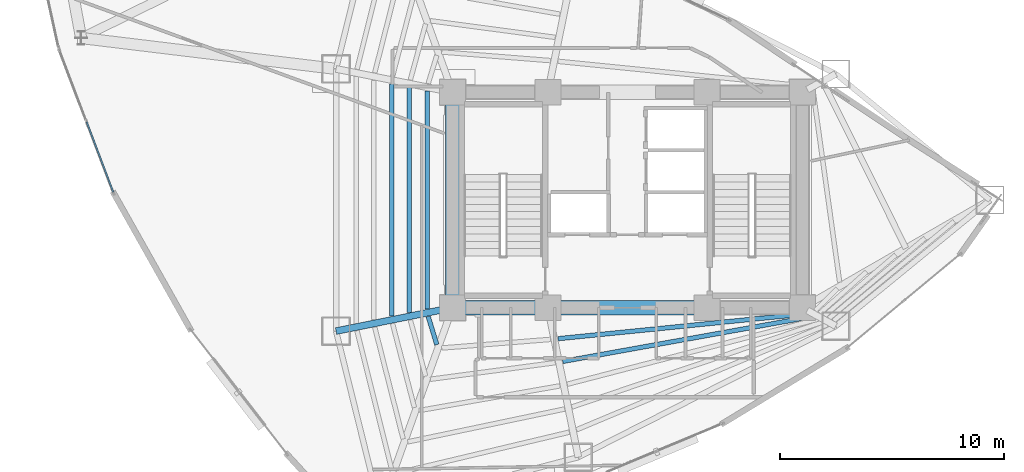
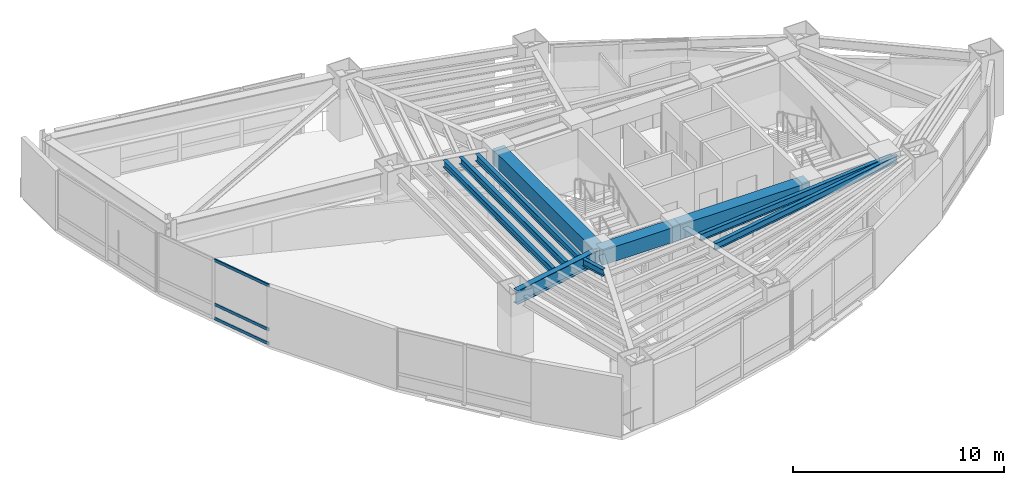
# One storey, part 7 of 25: 10 beams, 3 members, 1 element without a shape of its own.
"""IFC4 building model written with IfcOpenShell, lengths in metres."""

from ifc_helpers import new_model, si_unit, direction, frame, origin, origin_2d, place, context, subcontext, project, spatial, rectangle, hollow_rectangle, i_section, extrude, material, layer, layer_set, material_profile, profile_set, type_object, element, aggregate, save


model = new_model("IFC4")

# Units and contexts
model_context = context("Model", 3, precision=1e-05, world=origin(), true_north=direction((0.0, 1.0)))
body_context = subcontext(model_context, "Body", "Model", "MODEL_VIEW")
ifc_project = project(units=[si_unit("LENGTHUNIT", "METRE"), si_unit("AREAUNIT", "SQUARE_METRE"), si_unit("VOLUMEUNIT", "CUBIC_METRE"), si_unit("PLANEANGLEUNIT", "RADIAN"), si_unit("MASSUNIT", "GRAM", prefix="KILO")], contexts=[model_context])

# Site, building, storey
site_placement = place(None, origin())
site = spatial("IfcSite", under=ifc_project, at=site_placement, CompositionType="ELEMENT")
building_placement = place(site_placement, origin())
building = spatial("IfcBuilding", under=site, at=building_placement, Name="Menara Vayukalpa", CompositionType="ELEMENT")
storey_placement = place(building_placement, frame((0.0, 0.0, 115.139892578125)))
storey = spatial("IfcBuildingStorey", under=building, at=storey_placement, Name="L28", CompositionType="ELEMENT", Elevation=115.139892578125)

# Beams
ifc_material_1 = material(Name="Concrete C60/75", Category="concrete")
ifc_material_profile_1 = material_profile(ifc_material_1, rectangle(XDim=0.64990234375, YDim=0.85009765625, at=origin_2d()), Name="RC 650x850")
ifc_profile_set_1 = profile_set([ifc_material_profile_1], Name="Concrete C60/75")
beam_type_1 = type_object("IfcBeamType", Name="BM-CB1", PredefinedType="BEAM", material=ifc_profile_set_1)
beam_1_placement = place(storey_placement, frame((17.800048828125, 17.199951171875, 3.01513671875), z_axis=(1.0, 0.0, 0.0), x_axis=(0.0, 1.0, 0.0)))
element("IfcBeam", 1, at=beam_1_placement, inside=storey, type_object=beam_type_1, Name="L28 Core Tie Beam CBR1", PredefinedType="BEAM", context=body_context, shape_type="SweptSolid", body=[
    extrude(rectangle(XDim=0.64990234375, YDim=0.85009765625, at=origin_2d()), origin(), (0.0, 0.0, 1.0), 4.25),
])
beam_2_placement = place(storey_placement, frame((22.050048828125, 17.199951171875, 3.01513671875), z_axis=(1.0, 0.0, 0.0), x_axis=(0.0, 1.0, 0.0)))
element("IfcBeam", 2, at=beam_2_placement, inside=storey, type_object=beam_type_1, Name="L28 Core Tie Beam CBR2", PredefinedType="BEAM", context=body_context, shape_type="SweptSolid", body=[
    extrude(rectangle(XDim=0.64990234375, YDim=0.85009765625, at=origin_2d()), origin(), (0.0, 0.0, 1.0), 7.099853515625),
])
beam_3_placement = place(storey_placement, frame((17.800048828125, 17.199951171875, 3.01513671875), z_axis=(0.0, 1.0, 0.0), x_axis=(-1.0, 0.0, 0.0)))
element("IfcBeam", 3, at=beam_3_placement, inside=storey, type_object=beam_type_1, Name="L28 Core Tie Beam CBR7", PredefinedType="BEAM", context=body_context, shape_type="SweptSolid", body=[
    extrude(rectangle(XDim=0.64990234375, YDim=0.85009765625, at=origin_2d()), origin(), (0.0, 0.0, 1.0), 9.60009765625),
])
ifc_material_2 = material(Name="Steel S355", Category="steel")
ifc_material_profile_2 = material_profile(ifc_material_2, i_section(OverallWidth=0.300048828125, OverallDepth=0.800048828125, WebThickness=0.013916015625, FlangeThickness=0.02587890625, at=origin_2d()), Name="WF 800x300x14x26")
ifc_profile_set_2 = profile_set([ifc_material_profile_2], Name="Steel S355")
beam_type_2 = type_object("IfcBeamType", Name="BM-PG3", PredefinedType="BEAM", material=ifc_profile_set_2)
beam_4_placement = place(storey_placement, frame((17.554931640625, 17.150634765625, 3.0400390625), z_axis=(-0.980324984906, -0.197390283373, 0.0), x_axis=(0.197390283373, -0.980324984906, 0.0)))
element("IfcBeam", 4, at=beam_4_placement, inside=storey, type_object=beam_type_2, Name="L28 Primary Radial Girder RG06", PredefinedType="BEAM", context=body_context, shape_type="SweptSolid", body=[
    extrude(i_section(OverallWidth=0.300048828125, OverallDepth=0.800048828125, WebThickness=0.013916015625, FlangeThickness=0.02587890625, at=origin_2d()), origin(), (0.0, 0.0, 1.0), 5.047607421875),
])
ifc_material_3 = material(Name="Steel S355", Category="steel")
ifc_material_profile_3 = material_profile(ifc_material_3, i_section(OverallWidth=0.199951171875, OverallDepth=0.39990234375, WebThickness=0.008056640625, FlangeThickness=0.012939453125, at=origin_2d()), Name="WF 400x200x8x13")
ifc_profile_set_3 = profile_set([ifc_material_profile_3], Name="Steel S355")
beam_type_3 = type_object("IfcBeamType", Name="BM-SJ2", PredefinedType="JOIST", material=ifc_profile_set_3)
beam_5_placement = place(storey_placement, frame((16.664306640625, 26.858642578125, 3.239990234375), z_axis=(0.0, -1.0, 0.0), x_axis=(1.0, 0.0, 0.0)))
element("IfcBeam", 5, at=beam_5_placement, inside=storey, type_object=beam_type_3, Name="L28 Secondary Floor Joist SJ05-1", PredefinedType="JOIST", context=body_context, shape_type="SweptSolid", body=[
    extrude(i_section(OverallWidth=0.199951171875, OverallDepth=0.39990234375, WebThickness=0.008056640625, FlangeThickness=0.012939453125, at=origin_2d()), origin(), (0.0, 0.0, 1.0), 9.71728515625),
])
beam_6_placement = place(storey_placement, frame((15.87255859375, 27.01806640625, 3.239990234375), z_axis=(0.0, -1.0, 0.0), x_axis=(1.0, 0.0, 0.0)))
element("IfcBeam", 6, at=beam_6_placement, inside=storey, type_object=beam_type_3, Name="L28 Secondary Floor Joist SJ05-2", PredefinedType="JOIST", context=body_context, shape_type="SweptSolid", body=[
    extrude(i_section(OverallWidth=0.199951171875, OverallDepth=0.39990234375, WebThickness=0.008056640625, FlangeThickness=0.012939453125, at=origin_2d()), origin(), (0.0, 0.0, 1.0), 10.0361328125),
])
beam_7_placement = place(storey_placement, frame((15.080810546875, 27.177490234375, 3.239990234375), z_axis=(0.0, -1.0, 0.0), x_axis=(1.0, 0.0, 0.0)))
element("IfcBeam", 7, at=beam_7_placement, inside=storey, type_object=beam_type_3, Name="L28 Secondary Floor Joist SJ05-3", PredefinedType="JOIST", context=body_context, shape_type="SweptSolid", body=[
    extrude(i_section(OverallWidth=0.199951171875, OverallDepth=0.39990234375, WebThickness=0.008056640625, FlangeThickness=0.012939453125, at=origin_2d()), origin(), (0.0, 0.0, 1.0), 10.35498046875),
])
beam_8_placement = place(storey_placement, frame((16.714111328125, 16.808837890625, 3.239990234375), z_axis=(0.292651981473, -0.956219021846, 0.0), x_axis=(0.956219021846, 0.292651981473, 0.0)))
element("IfcBeam", 8, at=beam_8_placement, inside=storey, type_object=beam_type_3, Name="L28 Secondary Floor Joist SJ06-1", PredefinedType="JOIST", context=body_context, shape_type="SweptSolid", body=[
    extrude(i_section(OverallWidth=0.199951171875, OverallDepth=0.39990234375, WebThickness=0.008056640625, FlangeThickness=0.012939453125, at=origin_2d()), origin(), (0.0, 0.0, 1.0), 1.31640625),
])
beam_9_placement = place(storey_placement, frame((22.50439453125, 15.81591796875, 3.239990234375), z_axis=(0.995012836574, 0.099746955103, 0.0), x_axis=(-0.099746955103, 0.995012836574, 0.0)))
element("IfcBeam", 9, at=beam_9_placement, inside=storey, type_object=beam_type_3, Name="L28 Secondary Floor Joist SJ08-1", PredefinedType="JOIST", context=body_context, shape_type="SweptSolid", body=[
    extrude(i_section(OverallWidth=0.199951171875, OverallDepth=0.39990234375, WebThickness=0.008056640625, FlangeThickness=0.012939453125, at=origin_2d()), origin(), (0.0, 0.0, 1.0), 11.2294921875),
])
beam_10_placement = place(storey_placement, frame((22.7119140625, 14.801513671875, 3.239990234375), z_axis=(0.984205443357, 0.177030068819, 0.0), x_axis=(-0.177030068819, 0.984205443357, 0.0)))
element("IfcBeam", 10, at=beam_10_placement, inside=storey, type_object=beam_type_3, Name="L28 Secondary Floor Joist SJ08-2", PredefinedType="JOIST", context=body_context, shape_type="SweptSolid", body=[
    extrude(i_section(OverallWidth=0.199951171875, OverallDepth=0.39990234375, WebThickness=0.008056640625, FlangeThickness=0.012939453125, at=origin_2d()), origin(), (0.0, 0.0, 1.0), 11.349853515625),
])

# Curtain wall, members
ifc_material_4 = material(Name="Anodised Terracotta Aluminium Alloy 6063-T6", Category="masonry")
ifc_layer = layer(ifc_material_4, 0.179931640625)
ifc_layer_set = layer_set([ifc_layer], Name="Anodised Terracotta Aluminium Alloy 6063-T6")
curtain_wall_type = type_object("IfcCurtainWallType", Name="CW-CW4", PredefinedType="USERDEFINED", material=ifc_layer_set)
curtain_wall_placement = place(storey_placement, origin())
curtain_wall = element("IfcCurtainWall", 11, at=curtain_wall_placement, inside=storey, type_object=curtain_wall_type, Name="L28 Sky Bar Cantilever Glazed Curtain Wall CW4 11", ObjectType="UNITISED", PredefinedType="USERDEFINED")
ifc_material_5 = material(Name="Anodised Terracotta Aluminium Alloy 6063-T6", Category="masonry")
ifc_material_profile_4 = material_profile(ifc_material_5, hollow_rectangle(XDim=0.070068359375, YDim=0.1650390625, WallThickness=0.00390625, at=origin_2d()), Name="ALU 70x165x4")
ifc_profile_set_4 = profile_set([ifc_material_profile_4], Name="Anodised Terracotta Aluminium Alloy 6063-T6")
member_type = type_object("IfcMemberType", Name="CWT-CW4", PredefinedType="USERDEFINED", material=ifc_profile_set_4)
member_1_placement = place(storey_placement, frame((1.4853515625, 25.48388671875, 0.03515625), z_axis=(0.354801377627, -0.934941700019, 0.0), x_axis=(0.934941700019, 0.354801377627, 0.0)))
member_1 = element("IfcMember", 12, at=member_1_placement, type_object=member_type, Name="CW4 transom 2.1", ObjectType="TRANSOM", PredefinedType="USERDEFINED", context=body_context, shape_type="SweptSolid", body=[
    extrude(hollow_rectangle(XDim=0.070068359375, YDim=0.1650390625, WallThickness=0.00390625, at=origin_2d()), origin(), (0.0, 0.0, 1.0), 3.35107421875),
])
member_2_placement = place(storey_placement, frame((1.4853515625, 25.48388671875, 0.85009765625), z_axis=(0.354801377627, -0.934941700019, 0.0), x_axis=(0.934941700019, 0.354801377627, 0.0)))
member_2 = element("IfcMember", 13, at=member_2_placement, type_object=member_type, Name="CW4 transom 2.2", ObjectType="TRANSOM", PredefinedType="USERDEFINED", context=body_context, shape_type="SweptSolid", body=[
    extrude(hollow_rectangle(XDim=0.070068359375, YDim=0.1650390625, WallThickness=0.00390625, at=origin_2d()), origin(), (0.0, 0.0, 1.0), 3.35107421875),
])
member_3_placement = place(storey_placement, frame((1.4853515625, 25.48388671875, 3.405029296875), z_axis=(0.354801377627, -0.934941700019, 0.0), x_axis=(0.934941700019, 0.354801377627, 0.0)))
member_3 = element("IfcMember", 14, at=member_3_placement, type_object=member_type, Name="CW4 transom 2.3", ObjectType="TRANSOM", PredefinedType="USERDEFINED", context=body_context, shape_type="SweptSolid", body=[
    extrude(hollow_rectangle(XDim=0.070068359375, YDim=0.1650390625, WallThickness=0.00390625, at=origin_2d()), origin(), (0.0, 0.0, 1.0), 3.35107421875),
])
aggregate(curtain_wall, [member_1, member_2, member_3])

save(model, "model.ifc")
